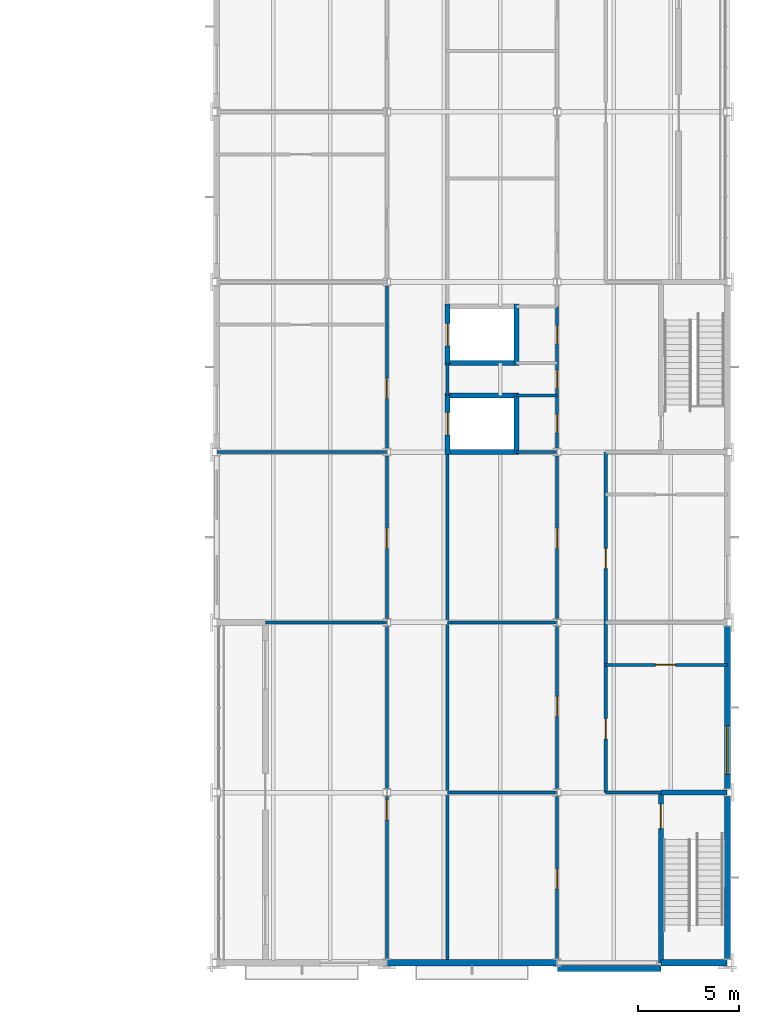
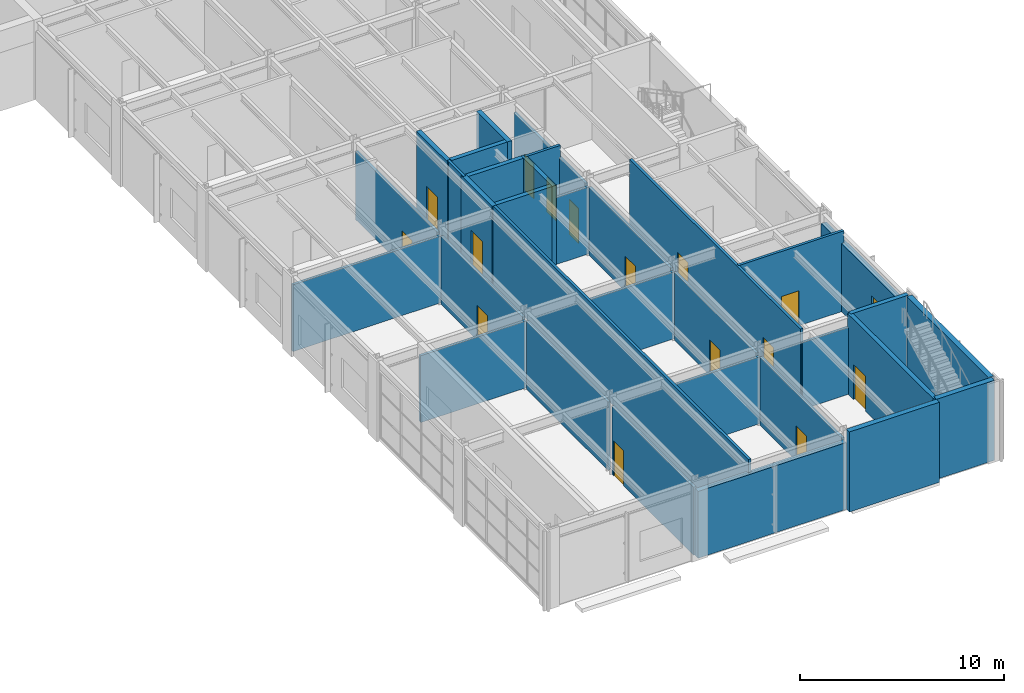
# One storey, part 74 of 127: 33 walls, 15 doors, 1 window, 16 openings.
"""IFC4 building model written with IfcOpenShell, lengths in metres."""

from ifc_helpers import new_model, si_unit, direction, frame, frame_2d, origin, place, context, subcontext, project, spatial, rectangle, extrude, material, layer, layer_set, type_object, element, fill, save


model = new_model("IFC4")

# Units and contexts
model_context = context("Model", 3, precision=1e-05, world=origin(), true_north=direction((0.0, 1.0)))
body_context = subcontext(model_context, "Body", "Model", "MODEL_VIEW")
ifc_project = project(units=[si_unit("LENGTHUNIT", "METRE"), si_unit("AREAUNIT", "SQUARE_METRE"), si_unit("VOLUMEUNIT", "CUBIC_METRE"), si_unit("PLANEANGLEUNIT", "RADIAN"), si_unit("MASSUNIT", "GRAM", prefix="KILO")], contexts=[model_context])

# Site, building, storey
site_placement = place(None, origin())
site = spatial("IfcSite", under=ifc_project, at=site_placement, CompositionType="ELEMENT")
building_placement = place(site_placement, origin())
building = spatial("IfcBuilding", under=site, at=building_placement, Name="Ljudholm Concert House", CompositionType="ELEMENT")
storey_placement = place(building_placement, frame((0.0, 0.0, 5.39990234375)))
storey = spatial("IfcBuildingStorey", under=building, at=storey_placement, Name="L01", CompositionType="ELEMENT", Elevation=5.39990234375)

# Wall, opening, door
ifc_material_1 = material(Name="Gypsum board on steel studs", Category="steel")
ifc_layer_1 = layer(ifc_material_1, 0.14990234375)
ifc_layer_set_1 = layer_set([ifc_layer_1], Name="Gypsum board on steel studs")
wall_type_1 = type_object("IfcWallType", Name="GYPSUM PARTITION 150", PredefinedType="PARTITIONING", material=ifc_layer_set_1)
wall_1_placement = place(storey_placement, frame((104.800048828125, 4.186767578125, 0.0), z_axis=(0.0, 0.0, 1.0), x_axis=(0.0, 1.0, 0.0)))
wall_1 = element("IfcWall", 1, at=wall_1_placement, inside=storey, type_object=wall_type_1, Name="Partition", PredefinedType="PARTITIONING", context=body_context, shape_type="SweptSolid", body=[
    extrude(rectangle(XDim=8.026611328125, YDim=0.14990234375, at=frame_2d((4.01318359375, 0.0))), origin(), (0.0, 0.0, 1.0), 4.086669921875),
])
opening_1_placement = place(wall_1_placement, frame((6.86328125, 0.0, 0.0)))
opening_1 = element("IfcOpeningElement", 2, at=opening_1_placement, cuts=wall_1, Name="Opening D-W01-010", PredefinedType="OPENING", context=body_context, shape_type="SweptSolid", body=[
    extrude(rectangle(XDim=1.0, YDim=2.10009765625, at=frame_2d((0.5, 1.050048828125))), frame((0.0, 0.0849609375, 0.0), z_axis=(0.0, -1.0, 0.0), x_axis=(1.0, 0.0, 0.0)), (0.0, 0.0, 1.0), 0.169921875),
])
ifc_material_2 = material(Name="Hollow metal door in steel frame", Category="steel")
door_type_1 = type_object("IfcDoorType", Name="SWING DOOR 1000x2100", OperationType="SINGLE_SWING_LEFT", PredefinedType="DOOR", material=ifc_material_2)
door_1_placement = place(opening_1_placement, origin())
door_1 = element("IfcDoor", 3, at=door_1_placement, inside=storey, type_object=door_type_1, Name="Door", OperationType="SINGLE_SWING_LEFT", OverallHeight=2.10009765625, OverallWidth=1.0, PredefinedType="DOOR", context=body_context, shape_type="SweptSolid", body=[
    extrude(rectangle(XDim=1.0, YDim=2.10009765625, at=frame_2d((0.5, 1.050048828125))), frame((0.0, 0.02490234375, 0.0), z_axis=(0.0, -1.0, 0.0), x_axis=(1.0, 0.0, 0.0)), (0.0, 0.0, 1.0), 0.050048828125),
])
fill(opening_1, door_1)

# Wall
wall_2_placement = place(storey_placement, frame((104.800048828125, 12.586669921875, 0.0), z_axis=(0.0, 0.0, 1.0), x_axis=(0.0, 1.0, 0.0)))
element("IfcWall", 4, at=wall_2_placement, inside=storey, type_object=wall_type_1, Name="Partition", PredefinedType="PARTITIONING", context=body_context, shape_type="SweptSolid", body=[
    extrude(rectangle(XDim=8.026611328125, YDim=0.14990234375, at=frame_2d((4.01318359375, 0.0))), origin(), (0.0, 0.0, 1.0), 4.086669921875),
])

# Wall, opening, door
wall_3_placement = place(storey_placement, frame((104.800048828125, 20.986572265625, 0.0), z_axis=(0.0, 0.0, 1.0), x_axis=(0.0, 1.0, 0.0)))
wall_3 = element("IfcWall", 5, at=wall_3_placement, inside=storey, type_object=wall_type_1, Name="Partition", PredefinedType="PARTITIONING", context=body_context, shape_type="SweptSolid", body=[
    extrude(rectangle(XDim=8.02685546875, YDim=0.14990234375, at=frame_2d((4.013427734375, 0.0))), origin(), (0.0, 0.0, 1.0), 4.086669921875),
])
opening_2_placement = place(wall_3_placement, frame((3.46337890625, 0.0, 0.0)))
opening_2 = element("IfcOpeningElement", 6, at=opening_2_placement, cuts=wall_3, Name="Opening D-W01-011", PredefinedType="OPENING", context=body_context, shape_type="SweptSolid", body=[
    extrude(rectangle(XDim=1.0, YDim=2.10009765625, at=frame_2d((0.5, 1.050048828125))), frame((0.0, 0.0849609375, 0.0), z_axis=(0.0, -1.0, 0.0), x_axis=(1.0, 0.0, 0.0)), (0.0, 0.0, 1.0), 0.169921875),
])
door_2_placement = place(opening_2_placement, origin())
door_2 = element("IfcDoor", 7, at=door_2_placement, inside=storey, type_object=door_type_1, Name="Door", OperationType="SINGLE_SWING_LEFT", OverallHeight=2.10009765625, OverallWidth=1.0, PredefinedType="DOOR", context=body_context, shape_type="SweptSolid", body=[
    extrude(rectangle(XDim=1.0, YDim=2.10009765625, at=frame_2d((0.5, 1.050048828125))), frame((0.0, 0.02490234375, 0.0), z_axis=(0.0, -1.0, 0.0), x_axis=(1.0, 0.0, 0.0)), (0.0, 0.0, 1.0), 0.050048828125),
])
fill(opening_2, door_2)

wall_4_placement = place(storey_placement, frame((104.800048828125, 29.38671875, 0.0), z_axis=(0.0, 0.0, 1.0), x_axis=(0.0, 1.0, 0.0)))
wall_4 = element("IfcWall", 8, at=wall_4_placement, inside=storey, type_object=wall_type_1, Name="Partition", PredefinedType="PARTITIONING", context=body_context, shape_type="SweptSolid", body=[
    extrude(rectangle(XDim=8.026611328125, YDim=0.14990234375, at=frame_2d((4.01318359375, 0.0))), origin(), (0.0, 0.0, 1.0), 4.086669921875),
])
opening_3_placement = place(wall_4_placement, frame((2.46337890625, 0.0, 0.0)))
opening_3 = element("IfcOpeningElement", 9, at=opening_3_placement, cuts=wall_4, Name="Opening D-W01-012", PredefinedType="OPENING", context=body_context, shape_type="SweptSolid", body=[
    extrude(rectangle(XDim=1.0, YDim=2.10009765625, at=frame_2d((0.5, 1.050048828125))), frame((0.0, 0.0849609375, 0.0), z_axis=(0.0, -1.0, 0.0), x_axis=(1.0, 0.0, 0.0)), (0.0, 0.0, 1.0), 0.169921875),
])
door_3_placement = place(opening_3_placement, origin())
door_3 = element("IfcDoor", 10, at=door_3_placement, inside=storey, type_object=door_type_1, Name="Door", OperationType="SINGLE_SWING_LEFT", OverallHeight=2.10009765625, OverallWidth=1.0, PredefinedType="DOOR", context=body_context, shape_type="SweptSolid", body=[
    extrude(rectangle(XDim=1.0, YDim=2.10009765625, at=frame_2d((0.5, 1.050048828125))), frame((0.0, 0.02490234375, 0.0), z_axis=(0.0, -1.0, 0.0), x_axis=(1.0, 0.0, 0.0)), (0.0, 0.0, 1.0), 0.050048828125),
])
fill(opening_3, door_3)

# Walls
wall_5_placement = place(storey_placement, frame((107.800048828125, 4.0, 0.0), z_axis=(0.0, 0.0, 1.0), x_axis=(0.0, 1.0, 0.0)))
element("IfcWall", 11, at=wall_5_placement, inside=storey, type_object=wall_type_1, Name="Partition", PredefinedType="PARTITIONING", context=body_context, shape_type="SweptSolid", body=[
    extrude(rectangle(XDim=25.199951171875, YDim=0.14990234375, at=frame_2d((12.60009765625, 0.0))), origin(), (0.0, 0.0, 1.0), 4.800048828125),
])
wall_6_placement = place(storey_placement, frame((107.800048828125, 32.0, 0.0), z_axis=(0.0, 0.0, 1.0), x_axis=(0.0, 1.0, 0.0)))
element("IfcWall", 12, at=wall_6_placement, inside=storey, type_object=wall_type_1, Name="Partition", PredefinedType="PARTITIONING", context=body_context, shape_type="SweptSolid", body=[
    extrude(rectangle(XDim=1.60009765625, YDim=0.14990234375, at=frame_2d((0.800048828125, 0.0))), origin(), (0.0, 0.0, 1.0), 4.800048828125),
])

# Wall, opening, door
wall_7_placement = place(storey_placement, frame((113.199951171875, 4.186767578125, 0.0), z_axis=(0.0, 0.0, 1.0), x_axis=(0.0, 1.0, 0.0)))
wall_7 = element("IfcWall", 13, at=wall_7_placement, inside=storey, type_object=wall_type_1, Name="Partition", PredefinedType="PARTITIONING", context=body_context, shape_type="SweptSolid", body=[
    extrude(rectangle(XDim=8.026611328125, YDim=0.14990234375, at=frame_2d((4.01318359375, 0.0))), origin(), (0.0, 0.0, 1.0), 4.086669921875),
])
opening_4_placement = place(wall_7_placement, frame((3.46337890625, 0.0, 0.0)))
opening_4 = element("IfcOpeningElement", 14, at=opening_4_placement, cuts=wall_7, Name="Opening D-W01-022", PredefinedType="OPENING", context=body_context, shape_type="SweptSolid", body=[
    extrude(rectangle(XDim=1.0, YDim=2.10009765625, at=frame_2d((0.5, 1.050048828125))), frame((0.0, 0.0849609375, 0.0), z_axis=(0.0, -1.0, 0.0), x_axis=(1.0, 0.0, 0.0)), (0.0, 0.0, 1.0), 0.169921875),
])
door_4_placement = place(opening_4_placement, origin())
door_4 = element("IfcDoor", 15, at=door_4_placement, inside=storey, type_object=door_type_1, Name="Door", OperationType="SINGLE_SWING_RIGHT", OverallHeight=2.10009765625, OverallWidth=1.0, PredefinedType="DOOR", context=body_context, shape_type="SweptSolid", body=[
    extrude(rectangle(XDim=1.0, YDim=2.10009765625, at=frame_2d((0.5, 1.050048828125))), frame((0.0, 0.02490234375, 0.0), z_axis=(0.0, -1.0, 0.0), x_axis=(1.0, 0.0, 0.0)), (0.0, 0.0, 1.0), 0.050048828125),
])
fill(opening_4, door_4)

wall_8_placement = place(storey_placement, frame((113.199951171875, 12.586669921875, 0.0), z_axis=(0.0, 0.0, 1.0), x_axis=(0.0, 1.0, 0.0)))
wall_8 = element("IfcWall", 16, at=wall_8_placement, inside=storey, type_object=wall_type_1, Name="Partition", PredefinedType="PARTITIONING", context=body_context, shape_type="SweptSolid", body=[
    extrude(rectangle(XDim=8.026611328125, YDim=0.14990234375, at=frame_2d((4.01318359375, 0.0))), origin(), (0.0, 0.0, 1.0), 4.086669921875),
])
opening_5_placement = place(wall_8_placement, frame((3.563232421875, 0.0, 0.0)))
opening_5 = element("IfcOpeningElement", 17, at=opening_5_placement, cuts=wall_8, Name="Opening D-W01-023", PredefinedType="OPENING", context=body_context, shape_type="SweptSolid", body=[
    extrude(rectangle(XDim=1.0, YDim=2.10009765625, at=frame_2d((0.5, 1.050048828125))), frame((0.0, 0.0849609375, 0.0), z_axis=(0.0, -1.0, 0.0), x_axis=(1.0, 0.0, 0.0)), (0.0, 0.0, 1.0), 0.169921875),
])
door_5_placement = place(opening_5_placement, origin())
door_5 = element("IfcDoor", 18, at=door_5_placement, inside=storey, type_object=door_type_1, Name="Door", OperationType="SINGLE_SWING_RIGHT", OverallHeight=2.10009765625, OverallWidth=1.0, PredefinedType="DOOR", context=body_context, shape_type="SweptSolid", body=[
    extrude(rectangle(XDim=1.0, YDim=2.10009765625, at=frame_2d((0.5, 1.050048828125))), frame((0.0, 0.02490234375, 0.0), z_axis=(0.0, -1.0, 0.0), x_axis=(1.0, 0.0, 0.0)), (0.0, 0.0, 1.0), 0.050048828125),
])
fill(opening_5, door_5)

wall_9_placement = place(storey_placement, frame((113.199951171875, 20.986572265625, 0.0), z_axis=(0.0, 0.0, 1.0), x_axis=(0.0, 1.0, 0.0)))
wall_9 = element("IfcWall", 19, at=wall_9_placement, inside=storey, type_object=wall_type_1, Name="Partition", PredefinedType="PARTITIONING", context=body_context, shape_type="SweptSolid", body=[
    extrude(rectangle(XDim=8.02685546875, YDim=0.14990234375, at=frame_2d((4.013427734375, 0.0))), origin(), (0.0, 0.0, 1.0), 4.086669921875),
])
opening_6_placement = place(wall_9_placement, frame((3.46337890625, 0.0, 0.0)))
opening_6 = element("IfcOpeningElement", 20, at=opening_6_placement, cuts=wall_9, Name="Opening D-W01-024", PredefinedType="OPENING", context=body_context, shape_type="SweptSolid", body=[
    extrude(rectangle(XDim=1.0, YDim=2.10009765625, at=frame_2d((0.5, 1.050048828125))), frame((0.0, 0.0849609375, 0.0), z_axis=(0.0, -1.0, 0.0), x_axis=(1.0, 0.0, 0.0)), (0.0, 0.0, 1.0), 0.169921875),
])
door_6_placement = place(opening_6_placement, origin())
door_6 = element("IfcDoor", 21, at=door_6_placement, inside=storey, type_object=door_type_1, Name="Door", OperationType="SINGLE_SWING_LEFT", OverallHeight=2.10009765625, OverallWidth=1.0, PredefinedType="DOOR", context=body_context, shape_type="SweptSolid", body=[
    extrude(rectangle(XDim=1.0, YDim=2.10009765625, at=frame_2d((0.5, 1.050048828125))), frame((0.0, 0.02490234375, 0.0), z_axis=(0.0, -1.0, 0.0), x_axis=(1.0, 0.0, 0.0)), (0.0, 0.0, 1.0), 0.050048828125),
])
fill(opening_6, door_6)

# Wall, openings, doors
wall_10_placement = place(storey_placement, frame((113.199951171875, 29.38671875, 0.0), z_axis=(0.0, 0.0, 1.0), x_axis=(0.0, 1.0, 0.0)))
wall_10 = element("IfcWall", 22, at=wall_10_placement, inside=storey, type_object=wall_type_1, Name="Partition", PredefinedType="PARTITIONING", context=body_context, shape_type="SweptSolid", body=[
    extrude(rectangle(XDim=7.01318359375, YDim=0.14990234375, at=frame_2d((3.506591796875, 0.0))), origin(), (0.0, 0.0, 1.0), 4.086669921875),
])
opening_7_placement = place(wall_10_placement, frame((0.763427734375, 0.0, 0.0)))
opening_7 = element("IfcOpeningElement", 23, at=opening_7_placement, cuts=wall_10, Name="Opening D-W01-007", PredefinedType="OPENING", context=body_context, shape_type="SweptSolid", body=[
    extrude(rectangle(XDim=0.89990234375, YDim=2.10009765625, at=frame_2d((0.449951171875, 1.050048828125))), frame((0.0, 0.0849609375, 0.0), z_axis=(0.0, -1.0, 0.0), x_axis=(1.0, 0.0, 0.0)), (0.0, 0.0, 1.0), 0.169921875),
])
opening_8_placement = place(wall_10_placement, frame((2.96337890625, 0.0, 0.0)))
opening_8 = element("IfcOpeningElement", 24, at=opening_8_placement, cuts=wall_10, Name="Opening D-W01-008", PredefinedType="OPENING", context=body_context, shape_type="SweptSolid", body=[
    extrude(rectangle(XDim=0.89990234375, YDim=2.10009765625, at=frame_2d((0.449951171875, 1.050048828125))), frame((0.0, 0.0849609375, 0.0), z_axis=(0.0, -1.0, 0.0), x_axis=(1.0, 0.0, 0.0)), (0.0, 0.0, 1.0), 0.169921875),
])
opening_9_placement = place(wall_10_placement, frame((5.163330078125, 0.0, 0.0)))
opening_9 = element("IfcOpeningElement", 25, at=opening_9_placement, cuts=wall_10, Name="Opening D-W01-009", PredefinedType="OPENING", context=body_context, shape_type="SweptSolid", body=[
    extrude(rectangle(XDim=0.89990234375, YDim=2.10009765625, at=frame_2d((0.449951171875, 1.050048828125))), frame((0.0, 0.0849609375, 0.0), z_axis=(0.0, -1.0, 0.0), x_axis=(1.0, 0.0, 0.0)), (0.0, 0.0, 1.0), 0.169921875),
])
ifc_material_3 = material(Name="Hollow metal door in steel frame", Category="steel")
door_type_2 = type_object("IfcDoorType", Name="SWING DOOR 900x2100", OperationType="SINGLE_SWING_LEFT", PredefinedType="DOOR", material=ifc_material_3)
door_7_placement = place(opening_7_placement, origin())
door_7 = element("IfcDoor", 26, at=door_7_placement, inside=storey, type_object=door_type_2, Name="Door", OperationType="SINGLE_SWING_RIGHT", OverallHeight=2.10009765625, OverallWidth=0.89990234375, PredefinedType="DOOR", context=body_context, shape_type="SweptSolid", body=[
    extrude(rectangle(XDim=0.89990234375, YDim=2.10009765625, at=frame_2d((0.449951171875, 1.050048828125))), frame((0.0, 0.02490234375, 0.0), z_axis=(0.0, -1.0, 0.0), x_axis=(1.0, 0.0, 0.0)), (0.0, 0.0, 1.0), 0.050048828125),
])
fill(opening_7, door_7)
door_8_placement = place(opening_8_placement, origin())
door_8 = element("IfcDoor", 27, at=door_8_placement, inside=storey, type_object=door_type_2, Name="Door", OperationType="SINGLE_SWING_RIGHT", OverallHeight=2.10009765625, OverallWidth=0.89990234375, PredefinedType="DOOR", context=body_context, shape_type="SweptSolid", body=[
    extrude(rectangle(XDim=0.89990234375, YDim=2.10009765625, at=frame_2d((0.449951171875, 1.050048828125))), frame((0.0, 0.02490234375, 0.0), z_axis=(0.0, -1.0, 0.0), x_axis=(1.0, 0.0, 0.0)), (0.0, 0.0, 1.0), 0.050048828125),
])
fill(opening_8, door_8)
door_9_placement = place(opening_9_placement, origin())
door_9 = element("IfcDoor", 28, at=door_9_placement, inside=storey, type_object=door_type_2, Name="Door", OperationType="SINGLE_SWING_RIGHT", OverallHeight=2.10009765625, OverallWidth=0.89990234375, PredefinedType="DOOR", context=body_context, shape_type="SweptSolid", body=[
    extrude(rectangle(XDim=0.89990234375, YDim=2.10009765625, at=frame_2d((0.449951171875, 1.050048828125))), frame((0.0, 0.02490234375, 0.0), z_axis=(0.0, -1.0, 0.0), x_axis=(1.0, 0.0, 0.0)), (0.0, 0.0, 1.0), 0.050048828125),
])
fill(opening_9, door_9)

wall_11_placement = place(storey_placement, frame((115.60009765625, 12.39990234375, 0.0), z_axis=(0.0, 0.0, 1.0), x_axis=(0.0, 1.0, 0.0)))
wall_11 = element("IfcWall", 29, at=wall_11_placement, inside=storey, type_object=wall_type_1, Name="Partition", PredefinedType="PARTITIONING", context=body_context, shape_type="SweptSolid", body=[
    extrude(rectangle(XDim=16.800048828125, YDim=0.14990234375, at=frame_2d((8.39990234375, 0.0))), origin(), (0.0, 0.0, 1.0), 4.800048828125),
])
opening_10_placement = place(wall_11_placement, frame((2.64990234375, 0.0, 0.0)))
opening_10 = element("IfcOpeningElement", 30, at=opening_10_placement, cuts=wall_11, Name="Opening D-W01-033", PredefinedType="OPENING", context=body_context, shape_type="SweptSolid", body=[
    extrude(rectangle(XDim=1.0, YDim=2.10009765625, at=frame_2d((0.5, 1.050048828125))), frame((0.0, 0.0849609375, 0.0), z_axis=(0.0, -1.0, 0.0), x_axis=(1.0, 0.0, 0.0)), (0.0, 0.0, 1.0), 0.169921875),
])
opening_11_placement = place(wall_11_placement, frame((11.050048828125, 0.0, 0.0)))
opening_11 = element("IfcOpeningElement", 31, at=opening_11_placement, cuts=wall_11, Name="Opening D-W01-035", PredefinedType="OPENING", context=body_context, shape_type="SweptSolid", body=[
    extrude(rectangle(XDim=1.0, YDim=2.10009765625, at=frame_2d((0.5, 1.050048828125))), frame((0.0, 0.0849609375, 0.0), z_axis=(0.0, -1.0, 0.0), x_axis=(1.0, 0.0, 0.0)), (0.0, 0.0, 1.0), 0.169921875),
])
door_10_placement = place(opening_10_placement, frame((1.0, 0.0, 0.0), z_axis=(0.0, 0.0, 1.0), x_axis=(-1.0, 0.0, 0.0)))
door_10 = element("IfcDoor", 32, at=door_10_placement, inside=storey, type_object=door_type_1, Name="Door", OperationType="SINGLE_SWING_LEFT", OverallHeight=2.10009765625, OverallWidth=1.0, PredefinedType="DOOR", context=body_context, shape_type="SweptSolid", body=[
    extrude(rectangle(XDim=1.0, YDim=2.10009765625, at=frame_2d((0.5, 1.050048828125))), frame((0.0, 0.02490234375, 0.0), z_axis=(0.0, -1.0, 0.0), x_axis=(1.0, 0.0, 0.0)), (0.0, 0.0, 1.0), 0.050048828125),
])
fill(opening_10, door_10)
door_11_placement = place(opening_11_placement, frame((1.0, 0.0, 0.0), z_axis=(0.0, 0.0, 1.0), x_axis=(-1.0, 0.0, 0.0)))
door_11 = element("IfcDoor", 33, at=door_11_placement, inside=storey, type_object=door_type_1, Name="Door", OperationType="SINGLE_SWING_RIGHT", OverallHeight=2.10009765625, OverallWidth=1.0, PredefinedType="DOOR", context=body_context, shape_type="SweptSolid", body=[
    extrude(rectangle(XDim=1.0, YDim=2.10009765625, at=frame_2d((0.5, 1.050048828125))), frame((0.0, 0.02490234375, 0.0), z_axis=(0.0, -1.0, 0.0), x_axis=(1.0, 0.0, 0.0)), (0.0, 0.0, 1.0), 0.050048828125),
])
fill(opening_11, door_11)

# Walls
wall_12_placement = place(storey_placement, frame((115.60009765625, 12.39990234375, 0.0), z_axis=(0.0, 0.0, 1.0), x_axis=(1.0, 0.0, 0.0)))
element("IfcWall", 34, at=wall_12_placement, inside=storey, type_object=wall_type_1, Name="Partition", PredefinedType="PARTITIONING", context=body_context, shape_type="SweptSolid", body=[
    extrude(rectangle(XDim=2.724853515625, YDim=0.14990234375, at=frame_2d((1.3623046875, 0.0))), origin(), (0.0, 0.0, 1.0), 4.008056640625),
])
wall_13_placement = place(storey_placement, frame((107.800048828125, 12.39990234375, 0.0), z_axis=(0.0, 0.0, 1.0), x_axis=(1.0, 0.0, 0.0)))
element("IfcWall", 35, at=wall_13_placement, inside=storey, type_object=wall_type_1, Name="Partition", PredefinedType="PARTITIONING", context=body_context, shape_type="SweptSolid", body=[
    extrude(rectangle(XDim=5.391845703125, YDim=0.14990234375, at=frame_2d((2.69580078125, 0.0))), origin(), (0.0, 0.0, 1.0), 4.008056640625),
])

# Wall, opening, door
wall_14_placement = place(storey_placement, frame((115.60009765625, 18.699951171875, 0.0), z_axis=(0.0, 0.0, 1.0), x_axis=(1.0, 0.0, 0.0)))
wall_14 = element("IfcWall", 36, at=wall_14_placement, inside=storey, type_object=wall_type_1, Name="Partition", PredefinedType="PARTITIONING", context=body_context, shape_type="SweptSolid", body=[
    extrude(rectangle(XDim=6.0, YDim=0.14990234375, at=frame_2d((3.0, 0.0))), origin(), (0.0, 0.0, 1.0), 4.800048828125),
])
opening_12_placement = place(wall_14_placement, frame((2.449951171875, 0.0, 0.0)))
opening_12 = element("IfcOpeningElement", 37, at=opening_12_placement, cuts=wall_14, Name="Opening D-W01-034", PredefinedType="OPENING", context=body_context, shape_type="SweptSolid", body=[
    extrude(rectangle(XDim=1.0, YDim=2.10009765625, at=frame_2d((0.5, 1.050048828125))), frame((0.0, 0.0849609375, 0.0), z_axis=(0.0, -1.0, 0.0), x_axis=(1.0, 0.0, 0.0)), (0.0, 0.0, 1.0), 0.169921875),
])
door_12_placement = place(opening_12_placement, origin())
door_12 = element("IfcDoor", 38, at=door_12_placement, inside=storey, type_object=door_type_1, Name="Door", OperationType="SINGLE_SWING_RIGHT", OverallHeight=2.10009765625, OverallWidth=1.0, PredefinedType="DOOR", context=body_context, shape_type="SweptSolid", body=[
    extrude(rectangle(XDim=1.0, YDim=2.10009765625, at=frame_2d((0.5, 1.050048828125))), frame((0.0, 0.02490234375, 0.0), z_axis=(0.0, -1.0, 0.0), x_axis=(1.0, 0.0, 0.0)), (0.0, 0.0, 1.0), 0.050048828125),
])
fill(opening_12, door_12)

# Walls
wall_15_placement = place(storey_placement, frame((98.800048828125, 20.800048828125, 0.0), z_axis=(0.0, 0.0, 1.0), x_axis=(1.0, 0.0, 0.0)))
element("IfcWall", 39, at=wall_15_placement, inside=storey, type_object=wall_type_1, Name="Partition", PredefinedType="PARTITIONING", context=body_context, shape_type="SweptSolid", body=[
    extrude(rectangle(XDim=5.99169921875, YDim=0.14990234375, at=frame_2d((2.995849609375, 0.0))), origin(), (0.0, 0.0, 1.0), 4.008056640625),
])
wall_16_placement = place(storey_placement, frame((107.800048828125, 20.800048828125, 0.0), z_axis=(0.0, 0.0, 1.0), x_axis=(1.0, 0.0, 0.0)))
element("IfcWall", 40, at=wall_16_placement, inside=storey, type_object=wall_type_1, Name="Partition", PredefinedType="PARTITIONING", context=body_context, shape_type="SweptSolid", body=[
    extrude(rectangle(XDim=5.391845703125, YDim=0.14990234375, at=frame_2d((2.69580078125, 0.0))), origin(), (0.0, 0.0, 1.0), 4.008056640625),
])
wall_17_placement = place(storey_placement, frame((111.199951171875, 29.199951171875, 0.0), z_axis=(0.0, 0.0, 1.0), x_axis=(1.0, 0.0, 0.0)))
element("IfcWall", 41, at=wall_17_placement, inside=storey, type_object=wall_type_1, Name="Partition", PredefinedType="PARTITIONING", context=body_context, shape_type="SweptSolid", body=[
    extrude(rectangle(XDim=1.991943359375, YDim=0.14990234375, at=frame_2d((0.99609375, 0.0))), origin(), (0.0, 0.0, 1.0), 4.008056640625),
])
wall_18_placement = place(storey_placement, frame((96.408203125, 29.199951171875, 0.0), z_axis=(0.0, 0.0, 1.0), x_axis=(1.0, 0.0, 0.0)))
element("IfcWall", 42, at=wall_18_placement, inside=storey, type_object=wall_type_1, Name="Partition", PredefinedType="PARTITIONING", context=body_context, shape_type="SweptSolid", body=[
    extrude(rectangle(XDim=8.383544921875, YDim=0.14990234375, at=frame_2d((4.19189453125, 0.0))), origin(), (0.0, 0.0, 1.0), 4.008056640625),
])
wall_19_placement = place(storey_placement, frame((111.199951171875, 32.0, 0.0), z_axis=(0.0, 0.0, 1.0), x_axis=(1.0, 0.0, 0.0)))
element("IfcWall", 43, at=wall_19_placement, inside=storey, type_object=wall_type_1, Name="Partition", PredefinedType="PARTITIONING", context=body_context, shape_type="SweptSolid", body=[
    extrude(rectangle(XDim=2.0, YDim=0.14990234375, at=frame_2d((1.0, 0.0))), origin(), (0.0, 0.0, 1.0), 4.800048828125),
])

# Wall, opening, window
ifc_material_4 = material(Name="Precast concrete 5,000 psi", Category="concrete")
ifc_layer_2 = layer(ifc_material_4, 0.300048828125)
ifc_layer_set_2 = layer_set([ifc_layer_2], Name="Precast concrete 5,000 psi")
wall_type_2 = type_object("IfcWallType", Name="PRECAST PANEL WALL 300", PredefinedType="SOLIDWALL", material=ifc_layer_set_2)
wall_20_placement = place(storey_placement, frame((121.60009765625, 12.586669921875, 0.0), z_axis=(0.0, 0.0, 1.0), x_axis=(0.0, 1.0, 0.0)))
wall_20 = element("IfcWall", 44, at=wall_20_placement, inside=storey, type_object=wall_type_2, Name="Facade wall", PredefinedType="SOLIDWALL", context=body_context, shape_type="SweptSolid", body=[
    extrude(rectangle(XDim=8.026611328125, YDim=0.300048828125, at=frame_2d((4.01318359375, 0.0))), origin(), (0.0, 0.0, 1.0), 4.086669921875),
])
opening_13_placement = place(wall_20_placement, frame((0.71337890625, 0.0, 0.949951171875)))
opening_13 = element("IfcOpeningElement", 45, at=opening_13_placement, cuts=wall_20, Name="Opening X-W01-007", PredefinedType="OPENING", context=body_context, shape_type="SweptSolid", body=[
    extrude(rectangle(XDim=2.39990234375, YDim=1.800048828125, at=frame_2d((1.199951171875, 0.89990234375))), frame((0.0, 0.159912109375, 0.0), z_axis=(0.0, -1.0, 0.0), x_axis=(1.0, 0.0, 0.0)), (0.0, 0.0, 1.0), 0.320068359375),
])
ifc_material_5 = material(Name="Aluminium frame, impact glazing", Category="aluminium")
window_type = type_object("IfcWindowType", Name="CASEMENT WINDOW 2400x1800", PartitioningType="DOUBLE_PANEL_VERTICAL", PredefinedType="WINDOW", material=ifc_material_5)
window_placement = place(opening_13_placement, origin())
window = element("IfcWindow", 46, at=window_placement, inside=storey, type_object=window_type, Name="Window", OverallHeight=1.800048828125, OverallWidth=2.39990234375, PartitioningType="DOUBLE_PANEL_VERTICAL", PredefinedType="WINDOW", context=body_context, shape_type="SweptSolid", body=[
    extrude(rectangle(XDim=2.39990234375, YDim=1.800048828125, at=frame_2d((1.199951171875, 0.89990234375))), frame((0.0, 0.030029296875, 0.0), z_axis=(0.0, -1.0, 0.0), x_axis=(1.0, 0.0, 0.0)), (0.0, 0.0, 1.0), 0.06005859375),
])
fill(opening_13, window)

# Walls
wall_21_placement = place(storey_placement, frame((104.791748046875, 4.0, 0.0), z_axis=(0.0, 0.0, 1.0), x_axis=(1.0, 0.0, 0.0)))
element("IfcWall", 47, at=wall_21_placement, inside=storey, type_object=wall_type_2, Name="Facade wall", PredefinedType="SOLIDWALL", context=body_context, shape_type="SweptSolid", body=[
    extrude(rectangle(XDim=8.400146484375, YDim=0.300048828125, at=frame_2d((4.2001953125, 0.0))), origin(), (0.0, 0.0, 1.0), 4.008056640625),
])
wall_22_placement = place(storey_placement, frame((113.208251953125, 3.720458984375, 0.0), z_axis=(0.0, 0.0, 1.0), x_axis=(1.0, 0.0, 0.0)))
element("IfcWall", 48, at=wall_22_placement, inside=storey, type_object=wall_type_2, Name="Facade wall (braced bay)", PredefinedType="SOLIDWALL", context=body_context, shape_type="SweptSolid", body=[
    extrude(rectangle(XDim=5.11669921875, YDim=0.300048828125, at=frame_2d((2.558349609375, 0.0))), origin(), (0.0, 0.0, 1.0), 4.800048828125),
])

# Wall, opening, door
ifc_material_6 = material(Name="Concrete 6,500 psi", Category="concrete")
ifc_layer_3 = layer(ifc_material_6, 0.25)
ifc_layer_set_3 = layer_set([ifc_layer_3], Name="Concrete 6,500 psi")
wall_type_3 = type_object("IfcWallType", Name="RC CORE WALL 250", PredefinedType="SHEAR", material=ifc_layer_set_3)
wall_23_placement = place(storey_placement, frame((118.324951171875, 4.0, 0.0), z_axis=(0.0, 0.0, 1.0), x_axis=(0.0, 1.0, 0.0)))
wall_23 = element("IfcWall", 49, at=wall_23_placement, inside=storey, type_object=wall_type_3, Name="Stair core wall", PredefinedType="SHEAR", context=body_context, shape_type="SweptSolid", body=[
    extrude(rectangle(XDim=8.39990234375, YDim=0.25, at=frame_2d((4.199951171875, 0.0))), origin(), (0.0, 0.0, 1.0), 4.800048828125),
])
opening_14_placement = place(wall_23_placement, frame((6.625, 0.0, 0.0)))
opening_14 = element("IfcOpeningElement", 50, at=opening_14_placement, cuts=wall_23, Name="Opening D-W01-003", PredefinedType="OPENING", context=body_context, shape_type="SweptSolid", body=[
    extrude(rectangle(XDim=1.199951171875, YDim=2.10009765625, at=frame_2d((0.60009765625, 1.050048828125))), frame((0.0, 0.135009765625, 0.0), z_axis=(0.0, -1.0, 0.0), x_axis=(1.0, 0.0, 0.0)), (0.0, 0.0, 1.0), 0.27001953125),
])
ifc_material_7 = material(Name="Hollow metal door in steel frame", Category="steel")
door_type_3 = type_object("IfcDoorType", Name="SWING DOOR 1200x2100", OperationType="SINGLE_SWING_LEFT", PredefinedType="DOOR", material=ifc_material_7)
door_13_placement = place(opening_14_placement, origin())
door_13 = element("IfcDoor", 51, at=door_13_placement, inside=storey, type_object=door_type_3, Name="Door", OperationType="SINGLE_SWING_RIGHT", OverallHeight=2.10009765625, OverallWidth=1.199951171875, PredefinedType="DOOR", context=body_context, shape_type="SweptSolid", body=[
    extrude(rectangle(XDim=1.199951171875, YDim=2.10009765625, at=frame_2d((0.60009765625, 1.050048828125))), frame((0.0, 0.02490234375, 0.0), z_axis=(0.0, -1.0, 0.0), x_axis=(1.0, 0.0, 0.0)), (0.0, 0.0, 1.0), 0.050048828125),
])
fill(opening_14, door_13)

# Walls
wall_24_placement = place(storey_placement, frame((118.324951171875, 12.39990234375, 0.0), z_axis=(0.0, 0.0, 1.0), x_axis=(1.0, 0.0, 0.0)))
element("IfcWall", 52, at=wall_24_placement, inside=storey, type_object=wall_type_3, Name="Stair core wall", PredefinedType="SHEAR", context=body_context, shape_type="SweptSolid", body=[
    extrude(rectangle(XDim=3.266845703125, YDim=0.25, at=frame_2d((1.63330078125, 0.0))), origin(), (0.0, 0.0, 1.0), 4.800048828125),
])
ifc_material_8 = material(Name="Concrete 6,500 psi", Category="concrete")
ifc_layer_4 = layer(ifc_material_8, 0.300048828125)
ifc_layer_set_4 = layer_set([ifc_layer_4], Name="Concrete 6,500 psi")
wall_type_4 = type_object("IfcWallType", Name="RC CORE WALL 300", PredefinedType="SHEAR", material=ifc_layer_set_4)
wall_25_placement = place(storey_placement, frame((121.60009765625, 4.186767578125, 0.0), z_axis=(0.0, 0.0, 1.0), x_axis=(0.0, 1.0, 0.0)))
element("IfcWall", 53, at=wall_25_placement, inside=storey, type_object=wall_type_4, Name="Stair core wall", PredefinedType="SHEAR", context=body_context, shape_type="SweptSolid", body=[
    extrude(rectangle(XDim=8.026611328125, YDim=0.300048828125, at=frame_2d((4.01318359375, 0.0))), origin(), (0.0, 0.0, 1.0), 4.800048828125),
])
wall_26_placement = place(storey_placement, frame((118.324951171875, 4.0, 0.0), z_axis=(0.0, 0.0, 1.0), x_axis=(1.0, 0.0, 0.0)))
element("IfcWall", 54, at=wall_26_placement, inside=storey, type_object=wall_type_4, Name="Stair core wall", PredefinedType="SHEAR", context=body_context, shape_type="SweptSolid", body=[
    extrude(rectangle(XDim=3.266845703125, YDim=0.300048828125, at=frame_2d((1.63330078125, 0.0))), origin(), (0.0, 0.0, 1.0), 4.800048828125),
])

# Wall, opening, door
ifc_material_9 = material(Name="Concrete 6,500 psi", Category="concrete")
ifc_layer_5 = layer(ifc_material_9, 0.25)
ifc_layer_set_5 = layer_set([ifc_layer_5], Name="Concrete 6,500 psi")
wall_type_5 = type_object("IfcWallType", Name="RC WALL 250", PredefinedType="SOLIDWALL", material=ifc_layer_set_5)
wall_27_placement = place(storey_placement, frame((107.800048828125, 29.074951171875, 0.0), z_axis=(0.0, 0.0, 1.0), x_axis=(0.0, 1.0, 0.0)))
wall_27 = element("IfcWall", 55, at=wall_27_placement, inside=storey, type_object=wall_type_5, Name="Lift shaft wall", PredefinedType="SOLIDWALL", context=body_context, shape_type="SweptSolid", body=[
    extrude(rectangle(XDim=3.050048828125, YDim=0.25, at=frame_2d((1.52490234375, 0.0))), origin(), (0.0, 0.0, 1.0), 4.800048828125),
])
opening_15_placement = place(wall_27_placement, frame((0.97509765625, 0.0, 0.0)))
opening_15 = element("IfcOpeningElement", 56, at=opening_15_placement, cuts=wall_27, Name="Opening LD-W01-001", PredefinedType="OPENING", context=body_context, shape_type="SweptSolid", body=[
    extrude(rectangle(XDim=1.10009765625, YDim=2.10009765625, at=frame_2d((0.550048828125, 1.050048828125))), frame((0.0, 0.135009765625, 0.0), z_axis=(0.0, -1.0, 0.0), x_axis=(1.0, 0.0, 0.0)), (0.0, 0.0, 1.0), 0.27001953125),
])
ifc_material_10 = material(Name="Stainless steel sliding landing door, fire-rated", Category="steel")
door_type_4 = type_object("IfcDoorType", Name="LIFT DOOR 1100x2100", OperationType="SLIDING_TO_LEFT", PredefinedType="DOOR", material=ifc_material_10)
door_14_placement = place(opening_15_placement, origin())
door_14 = element("IfcDoor", 57, at=door_14_placement, inside=storey, type_object=door_type_4, Name="Lift landing door", OperationType="SLIDING_TO_LEFT", OverallHeight=2.10009765625, OverallWidth=1.10009765625, PredefinedType="DOOR", context=body_context, shape_type="SweptSolid", body=[
    extrude(rectangle(XDim=1.10009765625, YDim=2.10009765625, at=frame_2d((0.550048828125, 1.050048828125))), frame((0.0, 0.02490234375, 0.0), z_axis=(0.0, -1.0, 0.0), x_axis=(1.0, 0.0, 0.0)), (0.0, 0.0, 1.0), 0.050048828125),
])
fill(opening_15, door_14)

# Walls
wall_28_placement = place(storey_placement, frame((111.199951171875, 29.074951171875, 0.0), z_axis=(0.0, 0.0, 1.0), x_axis=(0.0, 1.0, 0.0)))
element("IfcWall", 58, at=wall_28_placement, inside=storey, type_object=wall_type_5, Name="Lift shaft wall", PredefinedType="SOLIDWALL", context=body_context, shape_type="SweptSolid", body=[
    extrude(rectangle(XDim=3.050048828125, YDim=0.25, at=frame_2d((1.52490234375, 0.0))), origin(), (0.0, 0.0, 1.0), 4.800048828125),
])
for number, where, z_axis, x_axis, name in (
    (59, (107.925048828125, 29.199951171875, 0.0), (0.0, 0.0, 1.0), (1.0, 0.0, 0.0), "Lift shaft wall"),
    (60, (107.925048828125, 32.0, 0.0), (0.0, 0.0, 1.0), (1.0, 0.0, 0.0), "Lift shaft wall"),
):
    element("IfcWall", number, at=place(storey_placement, frame(where, z_axis=z_axis, x_axis=x_axis)), inside=storey, type_object=wall_type_5, Name=name, PredefinedType="SOLIDWALL", context=body_context, shape_type="SweptSolid", body=[
        extrude(rectangle(XDim=3.14990234375, YDim=0.25, at=frame_2d((1.574951171875, 0.0))), origin(), (0.0, 0.0, 1.0), 4.800048828125),
    ])

# Wall, opening, door
wall_29_placement = place(storey_placement, frame((107.800048828125, 33.47509765625, 0.0), z_axis=(0.0, 0.0, 1.0), x_axis=(0.0, 1.0, 0.0)))
wall_29 = element("IfcWall", 61, at=wall_29_placement, inside=storey, type_object=wall_type_5, Name="Lift shaft wall", PredefinedType="SOLIDWALL", context=body_context, shape_type="SweptSolid", body=[
    extrude(rectangle(XDim=3.0498046875, YDim=0.25, at=frame_2d((1.52490234375, 0.0))), origin(), (0.0, 0.0, 1.0), 4.800048828125),
])
opening_16_placement = place(wall_29_placement, frame((0.97509765625, 0.0, 0.0)))
opening_16 = element("IfcOpeningElement", 62, at=opening_16_placement, cuts=wall_29, Name="Opening LD-W01-002", PredefinedType="OPENING", context=body_context, shape_type="SweptSolid", body=[
    extrude(rectangle(XDim=1.10009765625, YDim=2.10009765625, at=frame_2d((0.550048828125, 1.050048828125))), frame((0.0, 0.135009765625, 0.0), z_axis=(0.0, -1.0, 0.0), x_axis=(1.0, 0.0, 0.0)), (0.0, 0.0, 1.0), 0.27001953125),
])
door_15_placement = place(opening_16_placement, origin())
door_15 = element("IfcDoor", 63, at=door_15_placement, inside=storey, type_object=door_type_4, Name="Lift landing door", OperationType="SLIDING_TO_LEFT", OverallHeight=2.10009765625, OverallWidth=1.10009765625, PredefinedType="DOOR", context=body_context, shape_type="SweptSolid", body=[
    extrude(rectangle(XDim=1.10009765625, YDim=2.10009765625, at=frame_2d((0.550048828125, 1.050048828125))), frame((0.0, 0.02490234375, 0.0), z_axis=(0.0, -1.0, 0.0), x_axis=(1.0, 0.0, 0.0)), (0.0, 0.0, 1.0), 0.050048828125),
])
fill(opening_16, door_15)

# Walls
wall_30_placement = place(storey_placement, frame((111.199951171875, 33.47509765625, 0.0), z_axis=(0.0, 0.0, 1.0), x_axis=(0.0, 1.0, 0.0)))
element("IfcWall", 64, at=wall_30_placement, inside=storey, type_object=wall_type_5, Name="Lift shaft wall", PredefinedType="SOLIDWALL", context=body_context, shape_type="SweptSolid", body=[
    extrude(rectangle(XDim=3.0498046875, YDim=0.25, at=frame_2d((1.52490234375, 0.0))), origin(), (0.0, 0.0, 1.0), 4.800048828125),
])
wall_31_placement = place(storey_placement, frame((107.925048828125, 33.60009765625, 0.0), z_axis=(0.0, 0.0, 1.0), x_axis=(1.0, 0.0, 0.0)))
element("IfcWall", 65, at=wall_31_placement, inside=storey, type_object=wall_type_5, Name="Lift shaft wall", PredefinedType="SOLIDWALL", context=body_context, shape_type="SweptSolid", body=[
    extrude(rectangle(XDim=3.14990234375, YDim=0.25, at=frame_2d((1.574951171875, 0.0))), origin(), (0.0, 0.0, 1.0), 4.800048828125),
])

save(model, "model.ifc")
